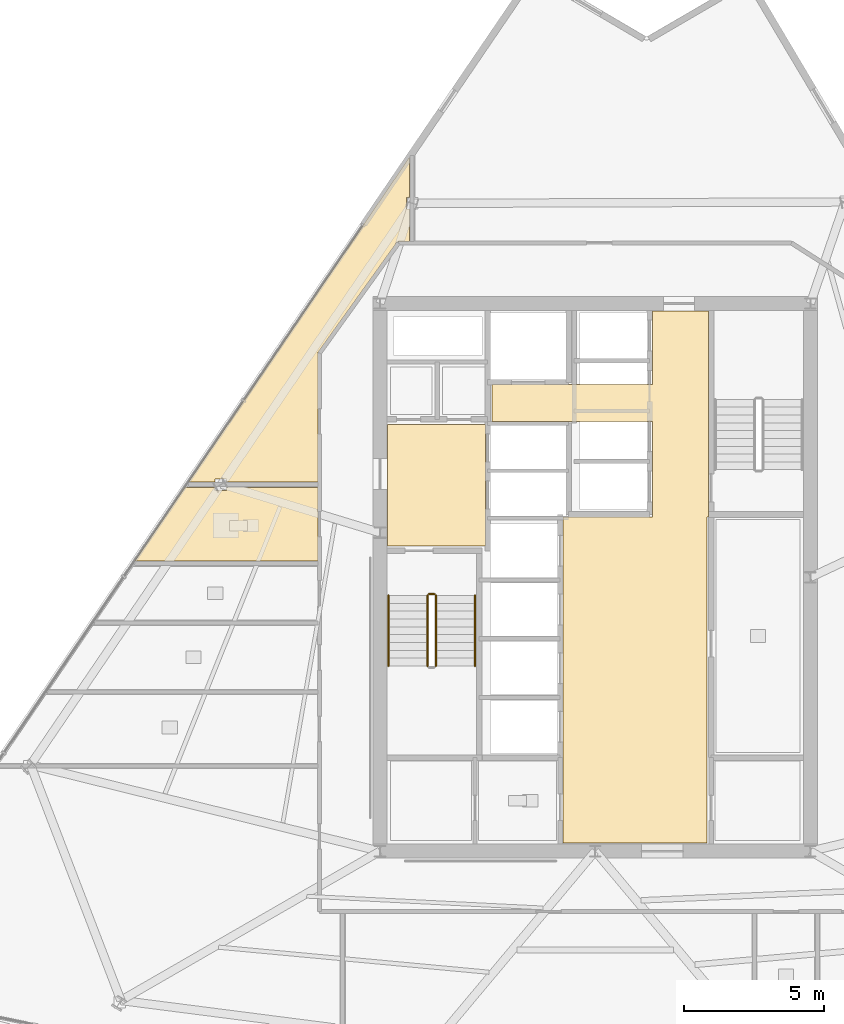
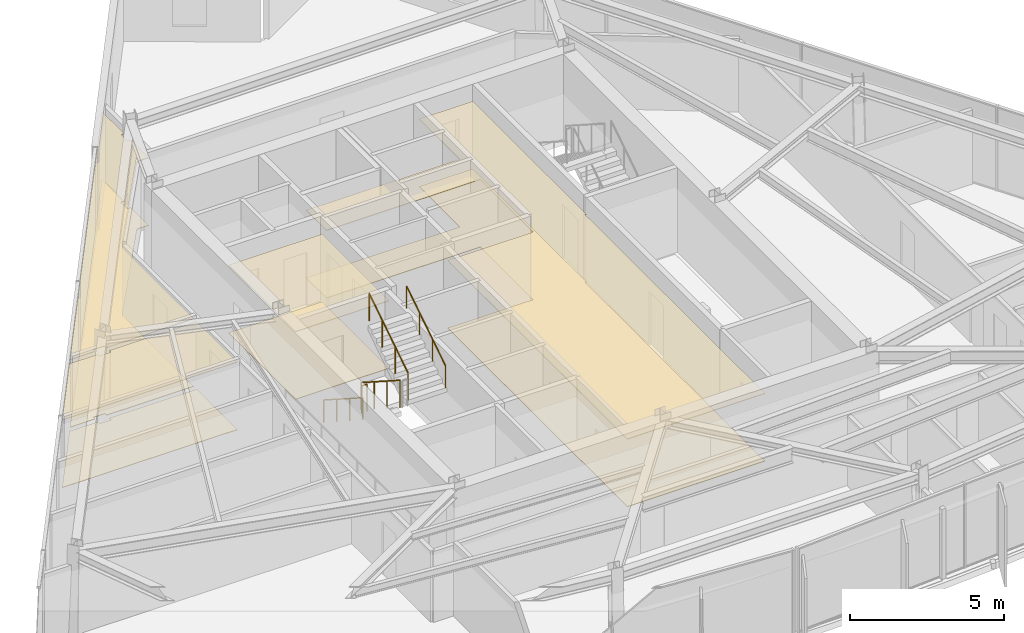
# One storey, part 12 of 15: 8 coverings, 5 railings.
"""IFC4 building model written with IfcOpenShell, lengths in metres."""

from ifc_helpers import new_model, si_unit, direction, frame, origin, origin_2d, place, context, subcontext, project, spatial, polyline, circle, outline, extrude, material, layer, layer_set, type_object, element, save


model = new_model("IFC4")

# Units and contexts
model_context = context("Model", 3, precision=1e-05, world=origin(), true_north=direction((0.0, 1.0)))
body_context = subcontext(model_context, "Body", "Model", "MODEL_VIEW")
ifc_project = project(units=[si_unit("LENGTHUNIT", "METRE"), si_unit("AREAUNIT", "SQUARE_METRE"), si_unit("VOLUMEUNIT", "CUBIC_METRE"), si_unit("PLANEANGLEUNIT", "RADIAN"), si_unit("MASSUNIT", "GRAM", prefix="KILO")], contexts=[model_context])

# Site, building, storey
site_placement = place(None, origin())
site = spatial("IfcSite", under=ifc_project, at=site_placement, CompositionType="ELEMENT")
building_placement = place(site_placement, origin())
building = spatial("IfcBuilding", under=site, at=building_placement, Name="Savorim Split Tower", CompositionType="ELEMENT")
storey_placement = place(building_placement, frame((0.0, 0.0, 194.699951171875)))
storey = spatial("IfcBuildingStorey", under=building, at=storey_placement, Name="L51", CompositionType="ELEMENT", Elevation=194.699951171875)

# Coverings
ifc_material_1 = material(Name="Mineral Fibre Acoustic Ceiling")
ifc_layer_1 = layer(ifc_material_1, 0.02490234375)
ifc_layer_set_1 = layer_set([ifc_layer_1], Name="COV-CEIL-25")
covering_type_1 = type_object("IfcCoveringType", Name="COV-CEIL-25", PredefinedType="CEILING", material=ifc_layer_set_1)
covering_1_placement = place(storey_placement, frame((0.0, 0.0, 2.670166015625)))
element("IfcCovering", 1, at=covering_1_placement, inside=storey, type_object=covering_type_1, Name="L51 Firefighting Lift Lobby Acoustic Ceiling", PredefinedType="CEILING", context=body_context, shape_type="SweptSolid", body=[
    extrude(outline(polyline([(-7.429931640625, 5.8701171875), (-7.429931640625, 1.530029296875), (-3.929931640625, 1.530029296875), (-3.929931640625, 5.8701171875), (-7.429931640625, 5.8701171875)])), origin(), (0.0, 0.0, 1.0), 0.02490234375),
])
covering_2_placement = place(storey_placement, frame((0.0, 0.0, 2.670166015625)))
element("IfcCovering", 2, at=covering_2_placement, inside=storey, type_object=covering_type_1, Name="L51 Lift Lobby Acoustic Ceiling", PredefinedType="CEILING", context=body_context, shape_type="SweptSolid", body=[
    extrude(outline(polyline([(2.050048828125, 2.550048828125), (-1.14990234375, 2.550048828125), (-1.14990234375, -9.10009765625), (4.0, -9.10009765625), (4.0, 2.550048828125), (4.050048828125, 2.550048828125), (4.050048828125, 5.97998046875), (4.050048828125, 7.300048828125), (4.050048828125, 9.929931640625), (2.050048828125, 9.929931640625), (2.050048828125, 7.300048828125), (-3.699951171875, 7.300048828125), (-3.699951171875, 5.97998046875), (2.050048828125, 5.97998046875), (2.050048828125, 2.550048828125)])), origin(), (0.0, 0.0, 1.0), 0.02490234375),
])
covering_3_placement = place(storey_placement, frame((0.0, 0.0, 2.670166015625)))
element("IfcCovering", 3, at=covering_3_placement, inside=storey, type_object=covering_type_1, Name="L51 Co-Living Bedroom Acoustic Ceiling", PredefinedType="CEILING", context=body_context, shape_type="SweptSolid", body=[
    extrude(outline(polyline([(-7.01318359375, 12.41943359375), (-7.0, 12.419921875), (-6.645263671875, 12.419921875), (-6.645263671875, 13.58154296875), (-6.75927734375, 13.58154296875), (-6.75927734375, 13.988525390625), (-6.645263671875, 13.988525390625), (-6.645263671875, 15.4345703125), (-14.552001953125, 3.8115234375), (-13.608642578125, 3.8115234375), (-13.608642578125, 3.919921875), (-13.190673828125, 3.919921875), (-13.190673828125, 3.8115234375), (-9.919921875, 3.8115234375), (-9.919921875, 8.39990234375), (-9.919189453125, 8.41455078125), (-9.9169921875, 8.4287109375), (-9.913330078125, 8.44287109375), (-9.908203125, 8.456298828125), (-9.901611328125, 8.46923828125), (-9.893798828125, 8.4814453125), (-7.11376953125, 12.361572265625), (-7.105712890625, 12.3720703125), (-7.096435546875, 12.381591796875), (-7.086181640625, 12.39013671875), (-7.075439453125, 12.39794921875), (-7.06396484375, 12.404541015625), (-7.052001953125, 12.409912109375), (-7.039306640625, 12.414306640625), (-7.0263671875, 12.41748046875), (-7.01318359375, 12.41943359375)])), origin(), (0.0, 0.0, 1.0), 0.02490234375),
])
covering_4_placement = place(storey_placement, frame((0.0, 0.0, 2.670166015625)))
element("IfcCovering", 4, at=covering_4_placement, inside=storey, type_object=covering_type_1, Name="L51 Shared Bathroom Acoustic Ceiling", PredefinedType="CEILING", context=body_context, shape_type="SweptSolid", body=[
    extrude(outline(polyline([(-13.608642578125, 3.62158203125), (-14.556396484375, 3.62158203125), (-14.6513671875, 3.62158203125), (-14.6513671875, 3.665771484375), (-16.474853515625, 0.985107421875), (-9.919921875, 0.985107421875), (-9.919921875, 3.62158203125), (-13.190673828125, 3.62158203125), (-13.190673828125, 3.512939453125), (-13.608642578125, 3.512939453125), (-13.608642578125, 3.62158203125)])), origin(), (0.0, 0.0, 1.0), 0.02490234375),
])
ifc_material_2 = material(Name="Porcelain Stoneware Flooring", Category="masonry")
ifc_layer_2 = layer(ifc_material_2, 0.02001953125)
ifc_layer_set_2 = layer_set([ifc_layer_2], Name="COV-FLOR-20")
covering_type_2 = type_object("IfcCoveringType", Name="COV-FLOR-20", PredefinedType="FLOORING", material=ifc_layer_set_2)
covering_5_placement = place(storey_placement, origin())
element("IfcCovering", 5, at=covering_5_placement, inside=storey, type_object=covering_type_2, Name="L51 Firefighting Lift Lobby Porcelain Flooring", PredefinedType="FLOORING", context=body_context, shape_type="SweptSolid", body=[
    extrude(outline(polyline([(-7.429931640625, 5.8701171875), (-7.429931640625, 1.530029296875), (-3.929931640625, 1.530029296875), (-3.929931640625, 5.8701171875), (-7.429931640625, 5.8701171875)])), origin(), (0.0, 0.0, 1.0), 0.02001953125),
])
covering_6_placement = place(storey_placement, origin())
element("IfcCovering", 6, at=covering_6_placement, inside=storey, type_object=covering_type_2, Name="L51 Lift Lobby Porcelain Flooring", PredefinedType="FLOORING", context=body_context, shape_type="SweptSolid", body=[
    extrude(outline(polyline([(2.050048828125, 2.550048828125), (-1.14990234375, 2.550048828125), (-1.14990234375, -9.10009765625), (4.0, -9.10009765625), (4.0, 2.550048828125), (4.050048828125, 2.550048828125), (4.050048828125, 5.97998046875), (4.050048828125, 7.300048828125), (4.050048828125, 9.929931640625), (2.050048828125, 9.929931640625), (2.050048828125, 7.300048828125), (-3.699951171875, 7.300048828125), (-3.699951171875, 5.97998046875), (2.050048828125, 5.97998046875), (2.050048828125, 2.550048828125)])), origin(), (0.0, 0.0, 1.0), 0.02001953125),
])
covering_7_placement = place(storey_placement, origin())
element("IfcCovering", 7, at=covering_7_placement, inside=storey, type_object=covering_type_2, Name="L51 Co-Living Bedroom Porcelain Flooring", PredefinedType="FLOORING", context=body_context, shape_type="SweptSolid", body=[
    extrude(outline(polyline([(-7.01318359375, 12.41943359375), (-7.0, 12.419921875), (-6.645263671875, 12.419921875), (-6.645263671875, 13.58154296875), (-6.75927734375, 13.58154296875), (-6.75927734375, 13.988525390625), (-6.645263671875, 13.988525390625), (-6.645263671875, 15.4345703125), (-14.552001953125, 3.8115234375), (-13.608642578125, 3.8115234375), (-13.608642578125, 3.919921875), (-13.190673828125, 3.919921875), (-13.190673828125, 3.8115234375), (-9.919921875, 3.8115234375), (-9.919921875, 8.39990234375), (-9.919189453125, 8.41455078125), (-9.9169921875, 8.4287109375), (-9.913330078125, 8.44287109375), (-9.908203125, 8.456298828125), (-9.901611328125, 8.46923828125), (-9.893798828125, 8.4814453125), (-7.11376953125, 12.361572265625), (-7.105712890625, 12.3720703125), (-7.096435546875, 12.381591796875), (-7.086181640625, 12.39013671875), (-7.075439453125, 12.39794921875), (-7.06396484375, 12.404541015625), (-7.052001953125, 12.409912109375), (-7.039306640625, 12.414306640625), (-7.0263671875, 12.41748046875), (-7.01318359375, 12.41943359375)])), origin(), (0.0, 0.0, 1.0), 0.02001953125),
])
covering_8_placement = place(storey_placement, origin())
element("IfcCovering", 8, at=covering_8_placement, inside=storey, type_object=covering_type_2, Name="L51 Shared Bathroom Porcelain Flooring", PredefinedType="FLOORING", context=body_context, shape_type="SweptSolid", body=[
    extrude(outline(polyline([(-13.608642578125, 3.62158203125), (-14.556396484375, 3.62158203125), (-14.6513671875, 3.62158203125), (-14.6513671875, 3.665771484375), (-16.474853515625, 0.985107421875), (-9.919921875, 0.985107421875), (-9.919921875, 3.62158203125), (-13.190673828125, 3.62158203125), (-13.190673828125, 3.512939453125), (-13.608642578125, 3.512939453125), (-13.608642578125, 3.62158203125)])), origin(), (0.0, 0.0, 1.0), 0.02001953125),
])

# Railings
ifc_material_3 = material(Name="Galvanised Painted Steel Balustrade", Category="steel")
railing_type_1 = type_object("IfcRailingType", Name="RLG-HR-900", PredefinedType="HANDRAIL", material=ifc_material_3)
railing_1_placement = place(storey_placement, frame((-7.39990234375, -0.25, 0.179931640625)))
element("IfcRailing", 9, at=railing_1_placement, inside=storey, type_object=railing_type_1, Name="L51 ST-1 stair handrail 1", PredefinedType="HANDRAIL", context=body_context, shape_type="SweptSolid", body=[
    extrude(circle(Radius=0.02392578125, at=origin_2d()), frame((0.0, 0.0, 0.8759765625), z_axis=(0.0, -0.841162588446, 0.540782303519), x_axis=(1.0, 0.0, 0.0)), (0.0, 0.0, 1.0), 2.995849609375),
    extrude(circle(Radius=0.02099609375, at=origin_2d()), origin(), (0.0, 0.0, 1.0), 0.851806640625),
    extrude(circle(Radius=0.02099609375, at=origin_2d()), frame((0.0, -0.840087890625, 0.5400390625)), (0.0, 0.0, 1.0), 0.851806640625),
    extrude(circle(Radius=0.02099609375, at=origin_2d()), frame((0.0, -1.679931640625, 1.080078125)), (0.0, 0.0, 1.0), 0.851806640625),
    extrude(circle(Radius=0.02099609375, at=origin_2d()), frame((0.0, -2.52001953125, 1.6201171875)), (0.0, 0.0, 1.0), 0.851806640625),
])
railing_2_placement = place(storey_placement, frame((-4.300048828125, -2.77001953125, 1.97998046875)))
element("IfcRailing", 10, at=railing_2_placement, inside=storey, type_object=railing_type_1, Name="L51 ST-1 stair handrail 2", PredefinedType="HANDRAIL", context=body_context, shape_type="SweptSolid", body=[
    extrude(circle(Radius=0.02392578125, at=origin_2d()), frame((0.0, 0.0, 0.8759765625), z_axis=(0.0, 0.841162588446, 0.540782303519), x_axis=(-1.0, 0.0, 0.0)), (0.0, 0.0, 1.0), 2.995849609375),
    extrude(circle(Radius=0.02099609375, at=origin_2d()), origin(), (0.0, 0.0, 1.0), 0.851806640625),
    extrude(circle(Radius=0.02099609375, at=origin_2d()), frame((0.0, 0.840087890625, 0.5400390625)), (0.0, 0.0, 1.0), 0.851806640625),
    extrude(circle(Radius=0.02099609375, at=origin_2d()), frame((0.0, 1.679931640625, 1.080078125)), (0.0, 0.0, 1.0), 0.851806640625),
    extrude(circle(Radius=0.02099609375, at=origin_2d()), frame((0.0, 2.52001953125, 1.6201171875)), (0.0, 0.0, 1.0), 0.851806640625),
])
railing_type_2 = type_object("IfcRailingType", Name="RLG-STG-1100", PredefinedType="BALUSTRADE", material=ifc_material_3)
railing_3_placement = place(storey_placement, frame((-6.0, -0.25, 0.179931640625)))
element("IfcRailing", 11, at=railing_3_placement, inside=storey, type_object=railing_type_2, Name="L51 ST-1 stair guard 1", PredefinedType="BALUSTRADE", context=body_context, shape_type="SweptSolid", body=[
    extrude(circle(Radius=0.02392578125, at=origin_2d()), frame((0.0, 0.0, 1.076171875), z_axis=(0.0, -0.841162588446, 0.540782303519), x_axis=(1.0, 0.0, 0.0)), (0.0, 0.0, 1.0), 2.995849609375),
    extrude(circle(Radius=0.02099609375, at=origin_2d()), origin(), (0.0, 0.0, 1.0), 1.052001953125),
    extrude(circle(Radius=0.02099609375, at=origin_2d()), frame((0.0, -0.840087890625, 0.5400390625)), (0.0, 0.0, 1.0), 1.052001953125),
    extrude(circle(Radius=0.02099609375, at=origin_2d()), frame((0.0, -1.679931640625, 1.080078125)), (0.0, 0.0, 1.0), 1.052001953125),
    extrude(circle(Radius=0.02099609375, at=origin_2d()), frame((0.0, -2.52001953125, 1.6201171875)), (0.0, 0.0, 1.0), 1.052001953125),
])
railing_4_placement = place(storey_placement, frame((-5.699951171875, -2.77001953125, 1.97998046875)))
element("IfcRailing", 12, at=railing_4_placement, inside=storey, type_object=railing_type_2, Name="L51 ST-1 stair guard 3", PredefinedType="BALUSTRADE", context=body_context, shape_type="SweptSolid", body=[
    extrude(circle(Radius=0.02392578125, at=origin_2d()), frame((0.0, 0.0, 1.076171875), z_axis=(0.0, 0.841162588446, 0.540782303519), x_axis=(-1.0, 0.0, 0.0)), (0.0, 0.0, 1.0), 2.995849609375),
    extrude(circle(Radius=0.02099609375, at=origin_2d()), origin(), (0.0, 0.0, 1.0), 1.052001953125),
    extrude(circle(Radius=0.02099609375, at=origin_2d()), frame((0.0, 0.840087890625, 0.5400390625)), (0.0, 0.0, 1.0), 1.052001953125),
    extrude(circle(Radius=0.02099609375, at=origin_2d()), frame((0.0, 1.679931640625, 1.080078125)), (0.0, 0.0, 1.0), 1.052001953125),
    extrude(circle(Radius=0.02099609375, at=origin_2d()), frame((0.0, 2.52001953125, 1.6201171875)), (0.0, 0.0, 1.0), 1.052001953125),
])
railing_5_placement = place(storey_placement, frame((-5.949951171875, -0.199951171875, 0.0)))
element("IfcRailing", 13, at=railing_5_placement, inside=storey, type_object=railing_type_2, Name="L51 ST-1 stair guard 4", PredefinedType="BALUSTRADE", context=body_context, shape_type="SweptSolid", body=[
    extrude(circle(Radius=0.02392578125, at=origin_2d()), frame((0.0, 0.0, 1.076171875), z_axis=(1.0, 0.0, 0.0), x_axis=(0.0, 1.0, 0.0)), (0.0, 0.0, 1.0), 0.199951171875),
    extrude(circle(Radius=0.02099609375, at=origin_2d()), origin(), (0.0, 0.0, 1.0), 1.052001953125),
    extrude(circle(Radius=0.02099609375, at=origin_2d()), frame((0.199951171875, 0.0, 0.0)), (0.0, 0.0, 1.0), 1.052001953125),
])

save(model, "model.ifc")
